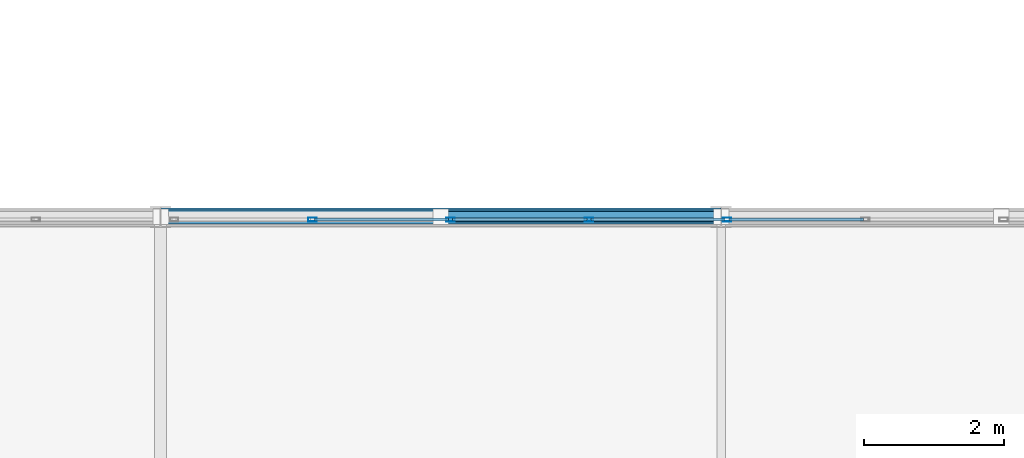
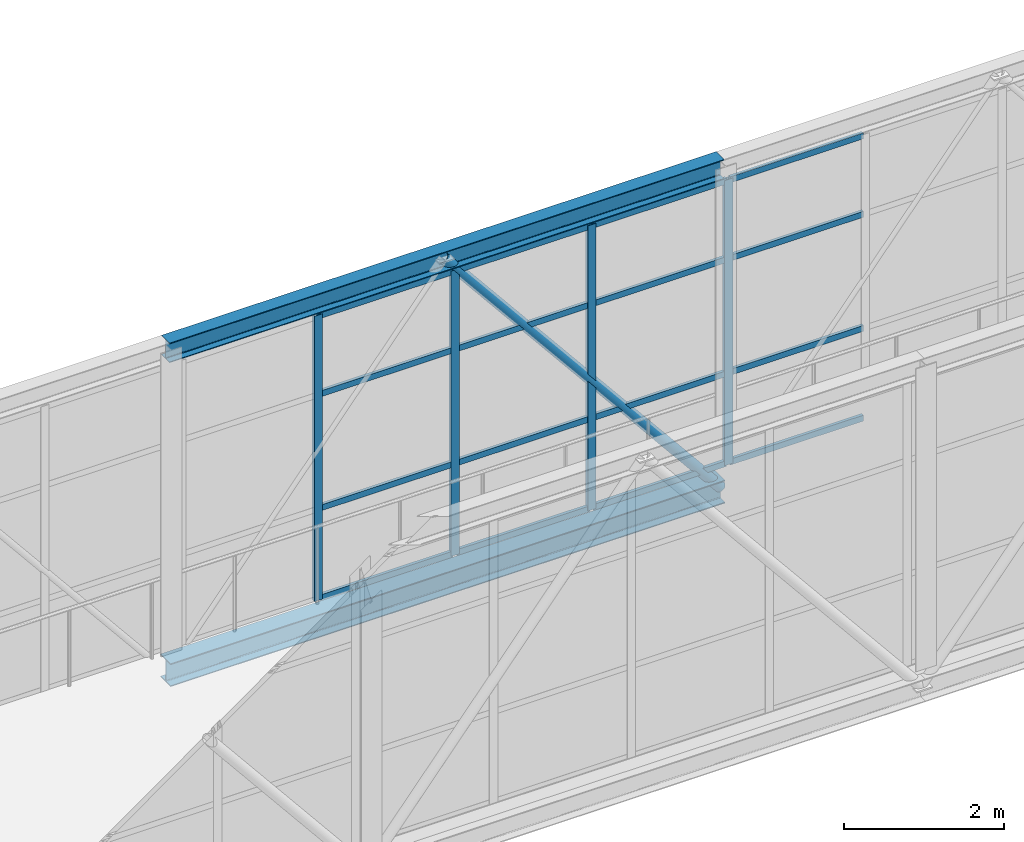
# One storey, part 157 of 248: 23 members, 1 element without a shape of its own.
"""IFC4 building model written with IfcOpenShell, lengths in metres."""

from ifc_helpers import new_model, si_unit, direction, frame, origin, origin_2d, place, context, subcontext, project, spatial, hollow_rectangle, hollow_circle, i_section, extrude, material, layer, layer_set, material_profile, profile_set, type_object, element, aggregate, save


model = new_model("IFC4")

# Units and contexts
model_context = context("Model", 3, precision=1e-05, world=origin(), true_north=direction((0.0, 1.0)))
body_context = subcontext(model_context, "Body", "Model", "MODEL_VIEW")
ifc_project = project(units=[si_unit("LENGTHUNIT", "METRE"), si_unit("AREAUNIT", "SQUARE_METRE"), si_unit("VOLUMEUNIT", "CUBIC_METRE"), si_unit("PLANEANGLEUNIT", "RADIAN"), si_unit("MASSUNIT", "GRAM", prefix="KILO")], contexts=[model_context])

# Site, building, storey
site_placement = place(None, origin())
site = spatial("IfcSite", under=ifc_project, at=site_placement, CompositionType="ELEMENT")
building_placement = place(site_placement, origin())
building = spatial("IfcBuilding", under=site, at=building_placement, Name="Canggui Botanical Conservatory", CompositionType="ELEMENT")
storey_placement = place(building_placement, frame((0.0, 0.0, 5.39990234375)))
storey = spatial("IfcBuildingStorey", under=building, at=storey_placement, Name="L02", CompositionType="ELEMENT", Elevation=5.39990234375)

# Curtain wall, members
ifc_material_1 = material(Name="Thermally Broken Aluminium", Category="aluminium")
ifc_layer = layer(ifc_material_1, 0.1201171875, Name="Thermally Broken Aluminium", Category="aluminium")
ifc_layer_set = layer_set([ifc_layer], Name="Thermally Broken Aluminium")
curtain_wall_type = type_object("IfcCurtainWallType", Name="CW-STICK-B", PredefinedType="USERDEFINED", material=ifc_layer_set)
curtain_wall_placement = place(storey_placement, origin())
curtain_wall = element("IfcCurtainWall", 1, at=curtain_wall_placement, inside=storey, type_object=curtain_wall_type, Name="Facade Curtain Wall CW-SB-04-2", ObjectType="STICK GLAZED WALL", PredefinedType="USERDEFINED")
ifc_material_profile_1 = material_profile(ifc_material_1, hollow_rectangle(XDim=0.054931640625, YDim=0.1201171875, WallThickness=0.0029296875, at=origin_2d()), Name="CWM 55x120x3")
ifc_profile_set_1 = profile_set([ifc_material_profile_1], Name="Thermally Broken Aluminium")
member_type_1 = type_object("IfcMemberType", Name="CWM-05", PredefinedType="MULLION", material=ifc_profile_set_1)
member_1_placement = place(storey_placement, frame((91.66650390625, 79.9599609375, 0.0), z_axis=(0.0, 0.0, 1.0), x_axis=(0.0, 1.0, 0.0)))
member_1 = element("IfcMember", 2, at=member_1_placement, type_object=member_type_1, Name="CW-05 mullion 14", PredefinedType="MULLION", context=body_context, shape_type="SweptSolid", body=[
    extrude(hollow_rectangle(XDim=0.054931640625, YDim=0.1201171875, WallThickness=0.0029296875, at=origin_2d()), origin(), (0.0, 0.0, 1.0), 4.35009765625),
])
member_2_placement = place(storey_placement, frame((93.639404296875, 79.9599609375, 0.0), z_axis=(0.0, 0.0, 1.0), x_axis=(0.0, 1.0, 0.0)))
member_2 = element("IfcMember", 3, at=member_2_placement, type_object=member_type_1, Name="CW-05 mullion 15", PredefinedType="MULLION", context=body_context, shape_type="SweptSolid", body=[
    extrude(hollow_rectangle(XDim=0.054931640625, YDim=0.1201171875, WallThickness=0.0029296875, at=origin_2d()), origin(), (0.0, 0.0, 1.0), 4.35009765625),
])
member_3_placement = place(storey_placement, frame((95.6123046875, 79.9599609375, 0.0), z_axis=(0.0, 0.0, 1.0), x_axis=(0.0, 1.0, 0.0)))
member_3 = element("IfcMember", 4, at=member_3_placement, type_object=member_type_1, Name="CW-05 mullion 16", PredefinedType="MULLION", context=body_context, shape_type="SweptSolid", body=[
    extrude(hollow_rectangle(XDim=0.054931640625, YDim=0.1201171875, WallThickness=0.0029296875, at=origin_2d()), origin(), (0.0, 0.0, 1.0), 4.35009765625),
])
member_4_placement = place(storey_placement, frame((97.5849609375, 79.9599609375, 0.0), z_axis=(0.0, 0.0, 1.0), x_axis=(0.0, 1.0, 0.0)))
member_4 = element("IfcMember", 5, at=member_4_placement, type_object=member_type_1, Name="CW-05 mullion 17", PredefinedType="MULLION", context=body_context, shape_type="SweptSolid", body=[
    extrude(hollow_rectangle(XDim=0.054931640625, YDim=0.1201171875, WallThickness=0.0029296875, at=origin_2d()), origin(), (0.0, 0.0, 1.0), 4.35009765625),
])
ifc_material_profile_2 = material_profile(ifc_material_1, hollow_rectangle(XDim=0.044921875, YDim=0.090087890625, WallThickness=0.0029296875, at=origin_2d()), Name="CWT 45x90x3")
ifc_profile_set_2 = profile_set([ifc_material_profile_2], Name="Thermally Broken Aluminium")
member_type_2 = type_object("IfcMemberType", Name="CWT-05", PredefinedType="USERDEFINED", material=ifc_profile_set_2)
member_5_placement = place(storey_placement, frame((91.694091796875, 79.9599609375, 0.022705078125), z_axis=(1.0, 0.0, 0.0), x_axis=(0.0, 1.0, 0.0)))
member_5 = element("IfcMember", 6, at=member_5_placement, type_object=member_type_2, Name="CW-05 transom 14.1", ObjectType="TRANSOM", PredefinedType="USERDEFINED", context=body_context, shape_type="SweptSolid", body=[
    extrude(hollow_rectangle(XDim=0.044921875, YDim=0.090087890625, WallThickness=0.0029296875, at=origin_2d()), origin(), (0.0, 0.0, 1.0), 1.917724609375),
])
member_6_placement = place(storey_placement, frame((91.694091796875, 79.9599609375, 1.39208984375), z_axis=(1.0, 0.0, 0.0), x_axis=(0.0, 1.0, 0.0)))
member_6 = element("IfcMember", 7, at=member_6_placement, type_object=member_type_2, Name="CW-05 transom 14.2", ObjectType="TRANSOM", PredefinedType="USERDEFINED", context=body_context, shape_type="SweptSolid", body=[
    extrude(hollow_rectangle(XDim=0.044921875, YDim=0.090087890625, WallThickness=0.0029296875, at=origin_2d()), origin(), (0.0, 0.0, 1.0), 1.917724609375),
])
member_7_placement = place(storey_placement, frame((91.694091796875, 79.9599609375, 3.132080078125), z_axis=(1.0, 0.0, 0.0), x_axis=(0.0, 1.0, 0.0)))
member_7 = element("IfcMember", 8, at=member_7_placement, type_object=member_type_2, Name="CW-05 transom 14.3", ObjectType="TRANSOM", PredefinedType="USERDEFINED", context=body_context, shape_type="SweptSolid", body=[
    extrude(hollow_rectangle(XDim=0.044921875, YDim=0.090087890625, WallThickness=0.0029296875, at=origin_2d()), origin(), (0.0, 0.0, 1.0), 1.917724609375),
])
member_8_placement = place(storey_placement, frame((91.694091796875, 79.9599609375, 4.32763671875), z_axis=(1.0, 0.0, 0.0), x_axis=(0.0, 1.0, 0.0)))
member_8 = element("IfcMember", 9, at=member_8_placement, type_object=member_type_2, Name="CW-05 transom 14.4", ObjectType="TRANSOM", PredefinedType="USERDEFINED", context=body_context, shape_type="SweptSolid", body=[
    extrude(hollow_rectangle(XDim=0.044921875, YDim=0.090087890625, WallThickness=0.0029296875, at=origin_2d()), origin(), (0.0, 0.0, 1.0), 1.917724609375),
])
member_9_placement = place(storey_placement, frame((93.6669921875, 79.9599609375, 0.022705078125), z_axis=(1.0, 0.0, 0.0), x_axis=(0.0, 1.0, 0.0)))
member_9 = element("IfcMember", 10, at=member_9_placement, type_object=member_type_2, Name="CW-05 transom 15.1", ObjectType="TRANSOM", PredefinedType="USERDEFINED", context=body_context, shape_type="SweptSolid", body=[
    extrude(hollow_rectangle(XDim=0.044921875, YDim=0.090087890625, WallThickness=0.0029296875, at=origin_2d()), origin(), (0.0, 0.0, 1.0), 1.917724609375),
])
member_10_placement = place(storey_placement, frame((93.6669921875, 79.9599609375, 1.39208984375), z_axis=(1.0, 0.0, 0.0), x_axis=(0.0, 1.0, 0.0)))
member_10 = element("IfcMember", 11, at=member_10_placement, type_object=member_type_2, Name="CW-05 transom 15.2", ObjectType="TRANSOM", PredefinedType="USERDEFINED", context=body_context, shape_type="SweptSolid", body=[
    extrude(hollow_rectangle(XDim=0.044921875, YDim=0.090087890625, WallThickness=0.0029296875, at=origin_2d()), origin(), (0.0, 0.0, 1.0), 1.917724609375),
])
member_11_placement = place(storey_placement, frame((93.6669921875, 79.9599609375, 3.132080078125), z_axis=(1.0, 0.0, 0.0), x_axis=(0.0, 1.0, 0.0)))
member_11 = element("IfcMember", 12, at=member_11_placement, type_object=member_type_2, Name="CW-05 transom 15.3", ObjectType="TRANSOM", PredefinedType="USERDEFINED", context=body_context, shape_type="SweptSolid", body=[
    extrude(hollow_rectangle(XDim=0.044921875, YDim=0.090087890625, WallThickness=0.0029296875, at=origin_2d()), origin(), (0.0, 0.0, 1.0), 1.917724609375),
])
member_12_placement = place(storey_placement, frame((93.6669921875, 79.9599609375, 4.32763671875), z_axis=(1.0, 0.0, 0.0), x_axis=(0.0, 1.0, 0.0)))
member_12 = element("IfcMember", 13, at=member_12_placement, type_object=member_type_2, Name="CW-05 transom 15.4", ObjectType="TRANSOM", PredefinedType="USERDEFINED", context=body_context, shape_type="SweptSolid", body=[
    extrude(hollow_rectangle(XDim=0.044921875, YDim=0.090087890625, WallThickness=0.0029296875, at=origin_2d()), origin(), (0.0, 0.0, 1.0), 1.917724609375),
])
member_13_placement = place(storey_placement, frame((95.6396484375, 79.9599609375, 0.022705078125), z_axis=(1.0, 0.0, 0.0), x_axis=(0.0, 1.0, 0.0)))
member_13 = element("IfcMember", 14, at=member_13_placement, type_object=member_type_2, Name="CW-05 transom 16.1", ObjectType="TRANSOM", PredefinedType="USERDEFINED", context=body_context, shape_type="SweptSolid", body=[
    extrude(hollow_rectangle(XDim=0.044921875, YDim=0.090087890625, WallThickness=0.0029296875, at=origin_2d()), origin(), (0.0, 0.0, 1.0), 1.91796875),
])
member_14_placement = place(storey_placement, frame((95.6396484375, 79.9599609375, 1.39208984375), z_axis=(1.0, 0.0, 0.0), x_axis=(0.0, 1.0, 0.0)))
member_14 = element("IfcMember", 15, at=member_14_placement, type_object=member_type_2, Name="CW-05 transom 16.2", ObjectType="TRANSOM", PredefinedType="USERDEFINED", context=body_context, shape_type="SweptSolid", body=[
    extrude(hollow_rectangle(XDim=0.044921875, YDim=0.090087890625, WallThickness=0.0029296875, at=origin_2d()), origin(), (0.0, 0.0, 1.0), 1.91796875),
])
member_15_placement = place(storey_placement, frame((95.6396484375, 79.9599609375, 3.132080078125), z_axis=(1.0, 0.0, 0.0), x_axis=(0.0, 1.0, 0.0)))
member_15 = element("IfcMember", 16, at=member_15_placement, type_object=member_type_2, Name="CW-05 transom 16.3", ObjectType="TRANSOM", PredefinedType="USERDEFINED", context=body_context, shape_type="SweptSolid", body=[
    extrude(hollow_rectangle(XDim=0.044921875, YDim=0.090087890625, WallThickness=0.0029296875, at=origin_2d()), origin(), (0.0, 0.0, 1.0), 1.91796875),
])
member_16_placement = place(storey_placement, frame((95.6396484375, 79.9599609375, 4.32763671875), z_axis=(1.0, 0.0, 0.0), x_axis=(0.0, 1.0, 0.0)))
member_16 = element("IfcMember", 17, at=member_16_placement, type_object=member_type_2, Name="CW-05 transom 16.4", ObjectType="TRANSOM", PredefinedType="USERDEFINED", context=body_context, shape_type="SweptSolid", body=[
    extrude(hollow_rectangle(XDim=0.044921875, YDim=0.090087890625, WallThickness=0.0029296875, at=origin_2d()), origin(), (0.0, 0.0, 1.0), 1.91796875),
])
member_17_placement = place(storey_placement, frame((97.612548828125, 79.9599609375, 0.022705078125), z_axis=(1.0, 0.0, 0.0), x_axis=(0.0, 1.0, 0.0)))
member_17 = element("IfcMember", 18, at=member_17_placement, type_object=member_type_2, Name="CW-05 transom 17.1", ObjectType="TRANSOM", PredefinedType="USERDEFINED", context=body_context, shape_type="SweptSolid", body=[
    extrude(hollow_rectangle(XDim=0.044921875, YDim=0.090087890625, WallThickness=0.0029296875, at=origin_2d()), origin(), (0.0, 0.0, 1.0), 1.917724609375),
])
member_18_placement = place(storey_placement, frame((97.612548828125, 79.9599609375, 1.39208984375), z_axis=(1.0, 0.0, 0.0), x_axis=(0.0, 1.0, 0.0)))
member_18 = element("IfcMember", 19, at=member_18_placement, type_object=member_type_2, Name="CW-05 transom 17.2", ObjectType="TRANSOM", PredefinedType="USERDEFINED", context=body_context, shape_type="SweptSolid", body=[
    extrude(hollow_rectangle(XDim=0.044921875, YDim=0.090087890625, WallThickness=0.0029296875, at=origin_2d()), origin(), (0.0, 0.0, 1.0), 1.917724609375),
])
member_19_placement = place(storey_placement, frame((97.612548828125, 79.9599609375, 3.132080078125), z_axis=(1.0, 0.0, 0.0), x_axis=(0.0, 1.0, 0.0)))
member_19 = element("IfcMember", 20, at=member_19_placement, type_object=member_type_2, Name="CW-05 transom 17.3", ObjectType="TRANSOM", PredefinedType="USERDEFINED", context=body_context, shape_type="SweptSolid", body=[
    extrude(hollow_rectangle(XDim=0.044921875, YDim=0.090087890625, WallThickness=0.0029296875, at=origin_2d()), origin(), (0.0, 0.0, 1.0), 1.917724609375),
])
member_20_placement = place(storey_placement, frame((97.612548828125, 79.9599609375, 4.32763671875), z_axis=(1.0, 0.0, 0.0), x_axis=(0.0, 1.0, 0.0)))
member_20 = element("IfcMember", 21, at=member_20_placement, type_object=member_type_2, Name="CW-05 transom 17.4", ObjectType="TRANSOM", PredefinedType="USERDEFINED", context=body_context, shape_type="SweptSolid", body=[
    extrude(hollow_rectangle(XDim=0.044921875, YDim=0.090087890625, WallThickness=0.0029296875, at=origin_2d()), origin(), (0.0, 0.0, 1.0), 1.917724609375),
])
aggregate(curtain_wall, [member_1, member_2, member_3, member_4, member_5, member_6, member_7, member_8, member_9, member_10, member_11, member_12, member_13, member_14, member_15, member_16, member_17, member_18, member_19, member_20])

# Members
ifc_material_2 = material(Name="Steel Q355C", Category="steel")
ifc_material_profile_3 = material_profile(ifc_material_2, hollow_circle(Radius=0.075927734375, WallThickness=0.006103515625, at=origin_2d()), Name="CHS 152x6")
ifc_profile_set_3 = profile_set([ifc_material_profile_3], Name="Steel Q355C")
member_type_3 = type_object("IfcMemberType", Name="MEM-GSD04", PredefinedType="RAFTER", material=ifc_profile_set_3)
member_21_placement = place(storey_placement, frame((93.5, 80.0, 4.550048828125), z_axis=(0.632384053133, 0.0, -0.774655026024), x_axis=(0.0, 1.0, 0.0)))
element("IfcMember", 22, at=member_21_placement, inside=storey, type_object=member_type_3, Name="SB-04 Truss Web Rafter 2.5B", PredefinedType="RAFTER", context=body_context, shape_type="SweptSolid", body=[
    extrude(hollow_circle(Radius=0.075927734375, WallThickness=0.006103515625, at=origin_2d()), origin(), (0.0, 0.0, 1.0), 6.3251953125),
])
ifc_material_3 = material(Name="Steel Q355B", Category="steel")
ifc_material_profile_4 = material_profile(ifc_material_3, i_section(OverallWidth=0.25, OverallDepth=0.35009765625, WebThickness=0.009033203125, FlangeThickness=0.013916015625, FilletRadius=0.02001953125, at=origin_2d()), Name="HM 350x250x9x14")
ifc_profile_set_4 = profile_set([ifc_material_profile_4], Name="Steel Q355B")
member_type_4 = type_object("IfcMemberType", Name="MEM-TC03", PredefinedType="CHORD", material=ifc_profile_set_4)
member_22_placement = place(storey_placement, frame((89.5, 80.0, -0.349853515625), z_axis=(1.0, 0.0, 0.0), x_axis=(0.0, 1.0, 0.0)))
element("IfcMember", 23, at=member_22_placement, inside=storey, type_object=member_type_4, Name="SB-04 Deck Truss Bottom Chord 2.5", PredefinedType="CHORD", context=body_context, shape_type="SweptSolid", body=[
    extrude(i_section(OverallWidth=0.25, OverallDepth=0.35009765625, WebThickness=0.009033203125, FlangeThickness=0.013916015625, FilletRadius=0.02001953125, at=origin_2d()), origin(), (0.0, 0.0, 1.0), 8.0),
])
ifc_material_profile_5 = material_profile(ifc_material_3, i_section(OverallWidth=0.199951171875, OverallDepth=0.300048828125, WebThickness=0.008056640625, FlangeThickness=0.011962890625, FilletRadius=0.01806640625, at=origin_2d()), Name="HM 300x200x8x12")
ifc_profile_set_5 = profile_set([ifc_material_profile_5], Name="Steel Q355B")
member_type_5 = type_object("IfcMemberType", Name="MEM-TC04", PredefinedType="CHORD", material=ifc_profile_set_5)
member_23_placement = place(storey_placement, frame((89.5, 80.0, 4.550048828125), z_axis=(1.0, 0.0, 0.0), x_axis=(0.0, 1.0, 0.0)))
element("IfcMember", 24, at=member_23_placement, inside=storey, type_object=member_type_5, Name="SB-04 Roof Truss Top Chord 2.5", PredefinedType="CHORD", context=body_context, shape_type="SweptSolid", body=[
    extrude(i_section(OverallWidth=0.199951171875, OverallDepth=0.300048828125, WebThickness=0.008056640625, FlangeThickness=0.011962890625, FilletRadius=0.01806640625, at=origin_2d()), origin(), (0.0, 0.0, 1.0), 8.0),
])

save(model, "model.ifc")
